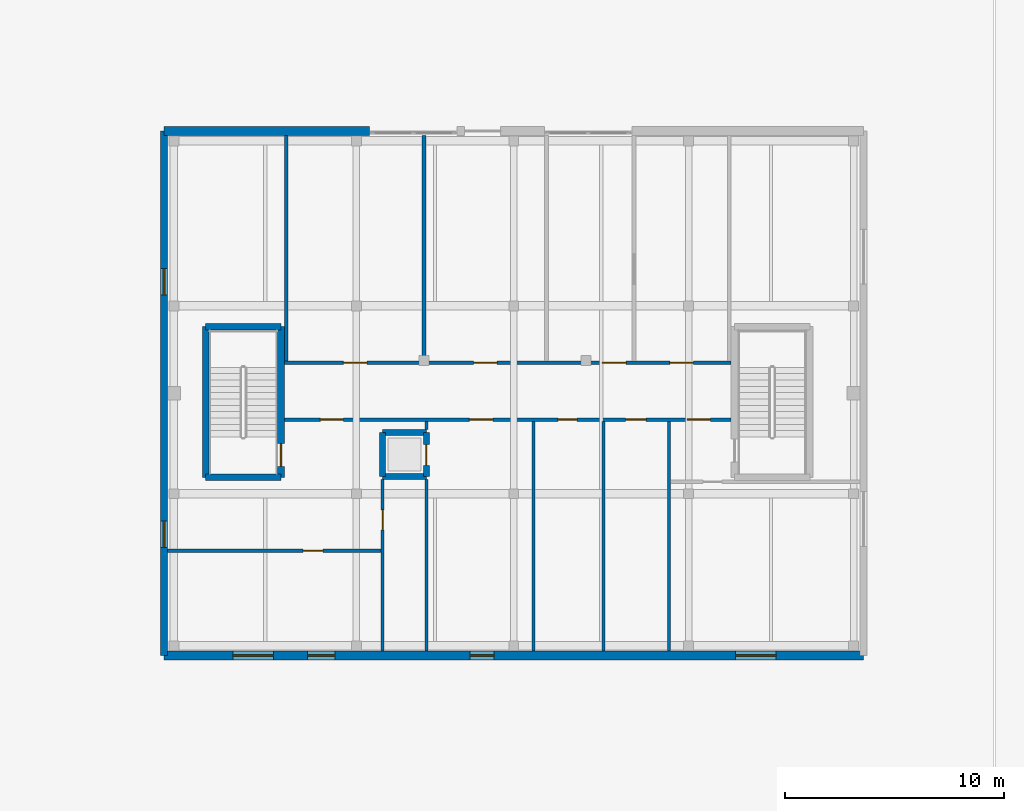
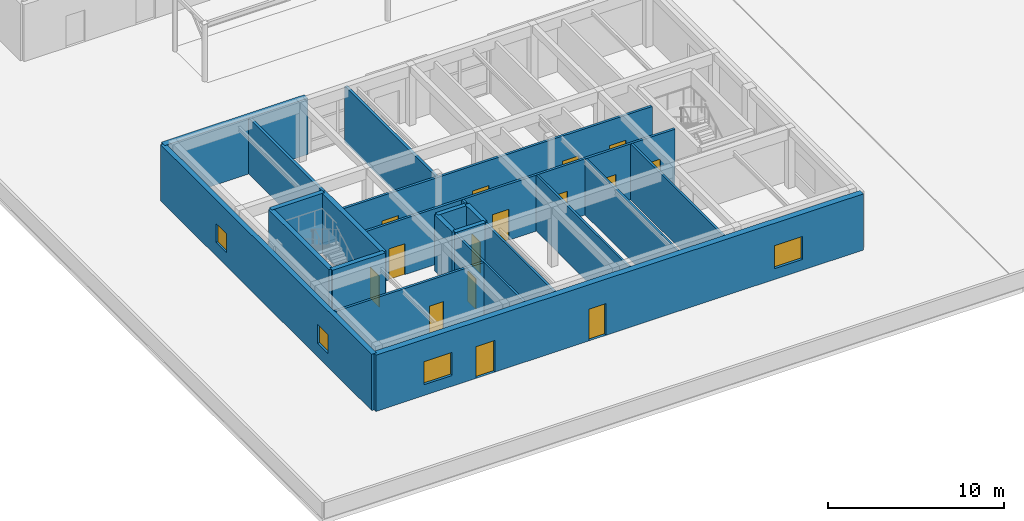
# One storey, part 71 of 114: 22 walls, 15 doors, 4 windows, 19 openings.
"""IFC4 building model written with IfcOpenShell, lengths in metres."""

from ifc_helpers import new_model, si_unit, direction, frame, frame_2d, origin, place, context, subcontext, project, spatial, rectangle, extrude, material, layer, layer_set, type_object, element, fill, save


model = new_model("IFC4")

# Units and contexts
model_context = context("Model", 3, precision=1e-05, world=origin(), true_north=direction((0.0, 1.0)))
body_context = subcontext(model_context, "Body", "Model", "MODEL_VIEW")
ifc_project = project(units=[si_unit("LENGTHUNIT", "METRE"), si_unit("AREAUNIT", "SQUARE_METRE"), si_unit("VOLUMEUNIT", "CUBIC_METRE"), si_unit("PLANEANGLEUNIT", "RADIAN"), si_unit("MASSUNIT", "GRAM", prefix="KILO")], contexts=[model_context])

# Site, building, storey
site_placement = place(None, origin())
site = spatial("IfcSite", under=ifc_project, at=site_placement, CompositionType="ELEMENT")
building_placement = place(site_placement, origin())
building = spatial("IfcBuilding", under=site, at=building_placement, Name="Keldmere Railside Commons", CompositionType="ELEMENT")
storey_placement = place(building_placement, origin())
storey = spatial("IfcBuildingStorey", under=building, at=storey_placement, Name="L00", CompositionType="ELEMENT", Elevation=0.0)

# Walls
ifc_material_1 = material(Name="Acoustic Gypsum Board Partition", Category="gypsum")
ifc_layer_1 = layer(ifc_material_1, 0.179931640625, Name="Acoustic Demising Partition 180")
ifc_layer_set_1 = layer_set([ifc_layer_1], Name="Acoustic Gypsum Board Partition")
wall_type_1 = type_object("IfcWallType", Name="Acoustic Demising Partition 180", PredefinedType="PARTITIONING", material=ifc_layer_set_1)
for number, where, z_axis, x_axis, name in (
    (1, (13.590087890625, 29.47998046875, 0.0), (0.0, 0.0, 1.0), (0.0, 1.0, 0.0), "IW-1 IW-L00-0106"),
    (2, (19.89990234375, 29.47998046875, 0.0), (0.0, 0.0, 1.0), (0.0, 1.0, 0.0), "IW-1 IW-L00-0107"),
):
    element("IfcWall", number, at=place(storey_placement, frame(where, z_axis=z_axis, x_axis=x_axis)), inside=storey, type_object=wall_type_1, Name=name, PredefinedType="PARTITIONING", context=body_context, shape_type="SweptSolid", body=[
        extrude(rectangle(XDim=10.320068359375, YDim=0.179931640625, at=frame_2d((5.16015625, 0.0))), origin(), (0.0, 0.0, 1.0), 3.889892578125),
    ])

# Wall, openings, windows, doors
ifc_material_2 = material(Name="Terracotta Brick Masonry", Category="masonry")
ifc_layer_2 = layer(ifc_material_2, 0.39990234375, Name="Civic Brick Cavity Wall 400")
ifc_layer_set_2 = layer_set([ifc_layer_2], Name="Terracotta Brick Masonry")
wall_type_2 = type_object("IfcWallType", Name="Civic Brick Cavity Wall 400", PredefinedType="SOLIDWALL", material=ifc_layer_set_2)
wall_1_placement = place(storey_placement, frame((40.0, 16.0, 0.0), z_axis=(0.0, 0.0, 1.0), x_axis=(-1.0, 0.0, 0.0)))
wall_1 = element("IfcWall", 3, at=wall_1_placement, inside=storey, type_object=wall_type_2, Name="EW-3 NURS-L00-0981", PredefinedType="SOLIDWALL", context=body_context, shape_type="SweptSolid", body=[
    extrude(rectangle(XDim=32.0, YDim=0.39990234375, at=frame_2d((16.0, 0.0))), origin(), (0.0, 0.0, 1.0), 3.89990234375),
])
opening_1_placement = place(wall_1_placement, frame((16.89990234375, 0.0, 0.0)))
opening_1 = element("IfcOpeningElement", 4, at=opening_1_placement, cuts=wall_1, Name="Opening ED-06", PredefinedType="OPENING", context=body_context, shape_type="SweptSolid", body=[
    extrude(rectangle(XDim=1.10009765625, YDim=2.199951171875, at=frame_2d((0.550048828125, 1.10009765625))), frame((0.0, 0.2099609375, 0.0), z_axis=(0.0, -1.0, 0.0), x_axis=(1.0, 0.0, 0.0)), (0.0, 0.0, 1.0), 0.419921875),
])
opening_2_placement = place(wall_1_placement, frame((24.179931640625, 0.0, 0.0)))
opening_2 = element("IfcOpeningElement", 5, at=opening_2_placement, cuts=wall_1, Name="Opening ED-02", PredefinedType="OPENING", context=body_context, shape_type="SweptSolid", body=[
    extrude(rectangle(XDim=1.25, YDim=2.199951171875, at=frame_2d((0.625, 1.10009765625))), frame((0.0, 0.2099609375, 0.0), z_axis=(0.0, -1.0, 0.0), x_axis=(1.0, 0.0, 0.0)), (0.0, 0.0, 1.0), 0.419921875),
])
opening_3_placement = place(wall_1_placement, frame((4.0, 0.0, 0.75)))
opening_3 = element("IfcOpeningElement", 6, at=opening_3_placement, cuts=wall_1, Name="Opening WN-26", PredefinedType="OPENING", context=body_context, shape_type="SweptSolid", body=[
    extrude(rectangle(XDim=1.85009765625, YDim=1.60009765625, at=frame_2d((0.925048828125, 0.800048828125))), frame((0.0, 0.2099609375, 0.0), z_axis=(0.0, -1.0, 0.0), x_axis=(1.0, 0.0, 0.0)), (0.0, 0.0, 1.0), 0.419921875),
])
opening_4_placement = place(wall_1_placement, frame((27.0, 0.0, 0.75)))
opening_4 = element("IfcOpeningElement", 7, at=opening_4_placement, cuts=wall_1, Name="Opening WN-26", PredefinedType="OPENING", context=body_context, shape_type="SweptSolid", body=[
    extrude(rectangle(XDim=1.85009765625, YDim=1.60009765625, at=frame_2d((0.925048828125, 0.800048828125))), frame((0.0, 0.2099609375, 0.0), z_axis=(0.0, -1.0, 0.0), x_axis=(1.0, 0.0, 0.0)), (0.0, 0.0, 1.0), 0.419921875),
])
ifc_material_3 = material(Name="Low-E Insulated Double Glazing", Category="glass")
window_type_1 = type_object("IfcWindowType", Name="Nursery Infant Room Low-Sill Window 1850x1600", PartitioningType="SINGLE_PANEL", PredefinedType="WINDOW", material=ifc_material_3)
window_1_placement = place(opening_3_placement, origin())
window_1 = element("IfcWindow", 8, at=window_1_placement, inside=storey, type_object=window_type_1, Name="WN-26 WIN-L00-0816", OverallHeight=1.60009765625, OverallWidth=1.85009765625, PartitioningType="SINGLE_PANEL", PredefinedType="WINDOW", context=body_context, shape_type="SweptSolid", body=[
    extrude(rectangle(XDim=1.85009765625, YDim=1.60009765625, at=frame_2d((0.925048828125, 0.800048828125))), frame((0.0, 0.030029296875, 0.0), z_axis=(0.0, -1.0, 0.0), x_axis=(1.0, 0.0, 0.0)), (0.0, 0.0, 1.0), 0.06005859375),
])
fill(opening_3, window_1)
window_2_placement = place(opening_4_placement, origin())
window_2 = element("IfcWindow", 9, at=window_2_placement, inside=storey, type_object=window_type_1, Name="WN-26 WIN-L00-0817", OverallHeight=1.60009765625, OverallWidth=1.85009765625, PartitioningType="SINGLE_PANEL", PredefinedType="WINDOW", context=body_context, shape_type="SweptSolid", body=[
    extrude(rectangle(XDim=1.85009765625, YDim=1.60009765625, at=frame_2d((0.925048828125, 0.800048828125))), frame((0.0, 0.030029296875, 0.0), z_axis=(0.0, -1.0, 0.0), x_axis=(1.0, 0.0, 0.0)), (0.0, 0.0, 1.0), 0.06005859375),
])
fill(opening_4, window_2)
ifc_material_4 = material(Name="Thermally Broken Aluminium", Category="aluminium")
door_type_1 = type_object("IfcDoorType", Name="Nursery Play-Patio Glazed Door 1100x2200", OperationType="NOTDEFINED", PredefinedType="DOOR", material=ifc_material_4)
door_1_placement = place(opening_1_placement, origin())
door_1 = element("IfcDoor", 10, at=door_1_placement, inside=storey, type_object=door_type_1, Name="ED-06 DR-L00-0298", OperationType="SINGLE_SWING_LEFT", OverallHeight=2.199951171875, OverallWidth=1.10009765625, PredefinedType="DOOR", context=body_context, shape_type="SweptSolid", body=[
    extrude(rectangle(XDim=1.10009765625, YDim=2.199951171875, at=frame_2d((0.550048828125, 1.10009765625))), frame((0.0, 0.02490234375, 0.0), z_axis=(0.0, -1.0, 0.0), x_axis=(1.0, 0.0, 0.0)), (0.0, 0.0, 1.0), 0.050048828125),
])
fill(opening_1, door_1)
ifc_material_5 = material(Name="Steel F-24 (S235)", Category="steel")
door_type_2 = type_object("IfcDoorType", Name="Stair Final Escape Exit Door 1250x2200", OperationType="NOTDEFINED", PredefinedType="DOOR", material=ifc_material_5)
door_2_placement = place(opening_2_placement, origin())
door_2 = element("IfcDoor", 11, at=door_2_placement, inside=storey, type_object=door_type_2, Name="ED-02 Nursery Final Exit", OperationType="SINGLE_SWING_RIGHT", OverallHeight=2.199951171875, OverallWidth=1.25, PredefinedType="DOOR", context=body_context, shape_type="SweptSolid", body=[
    extrude(rectangle(XDim=1.25, YDim=2.199951171875, at=frame_2d((0.625, 1.10009765625))), frame((0.0, 0.02490234375, 0.0), z_axis=(0.0, -1.0, 0.0), x_axis=(1.0, 0.0, 0.0)), (0.0, 0.0, 1.0), 0.050048828125),
])
fill(opening_2, door_2)

# Wall
wall_2_placement = place(storey_placement, frame((8.0, 40.0, 0.0), z_axis=(0.0, 0.0, 1.0), x_axis=(1.0, 0.0, 0.0)))
element("IfcWall", 12, at=wall_2_placement, inside=storey, type_object=wall_type_2, Name="EW-3 NURN-L00-0983", PredefinedType="SOLIDWALL", context=body_context, shape_type="SweptSolid", body=[
    extrude(rectangle(XDim=9.39990234375, YDim=0.39990234375, at=frame_2d((4.699951171875, 0.0))), origin(), (0.0, 0.0, 1.0), 3.89990234375),
])

# Wall, opening, door
ifc_material_6 = material(Name="Concrete H-35 (C35/45)", Category="concrete")
ifc_layer_3 = layer(ifc_material_6, 0.280029296875, Name="Core Shear Wall 280")
ifc_layer_set_3 = layer_set([ifc_layer_3], Name="Concrete H-35 (C35/45)")
wall_type_3 = type_object("IfcWallType", Name="Core Shear Wall 280", PredefinedType="SHEAR", material=ifc_layer_set_3)
wall_3_placement = place(storey_placement, frame((20.0, 24.199951171875, 0.0), z_axis=(0.0, 0.0, 1.0), x_axis=(0.0, 1.0, 0.0)))
wall_3 = element("IfcWall", 13, at=wall_3_placement, inside=storey, type_object=wall_type_3, Name="CSW-2 NLSH-L00-0997", PredefinedType="SHEAR", context=body_context, shape_type="SweptSolid", body=[
    extrude(rectangle(XDim=2.0, YDim=0.280029296875, at=frame_2d((1.0, 0.0))), origin(), (0.0, 0.0, 1.0), 3.89990234375),
])
opening_5_placement = place(wall_3_placement, frame((0.5, 0.0, 0.0)))
opening_5 = element("IfcOpeningElement", 14, at=opening_5_placement, cuts=wall_3, Name="Opening LD-3", PredefinedType="OPENING", context=body_context, shape_type="SweptSolid", body=[
    extrude(rectangle(XDim=0.949951171875, YDim=2.14990234375, at=frame_2d((0.47509765625, 1.074951171875))), frame((0.0, 0.14990234375, 0.0), z_axis=(0.0, -1.0, 0.0), x_axis=(1.0, 0.0, 0.0)), (0.0, 0.0, 1.0), 0.300048828125),
])
door_type_3 = type_object("IfcDoorType", Name="Civic Lift Sliding Landing Door 950x2150", OperationType="SLIDING_TO_LEFT", PredefinedType="DOOR", material=ifc_material_5)
door_3_placement = place(opening_5_placement, origin())
door_3 = element("IfcDoor", 15, at=door_3_placement, inside=storey, type_object=door_type_3, Name="LD-3 PL-N1 L00", OperationType="SLIDING_TO_LEFT", OverallHeight=2.14990234375, OverallWidth=0.949951171875, PredefinedType="DOOR", context=body_context, shape_type="SweptSolid", body=[
    extrude(rectangle(XDim=0.949951171875, YDim=2.14990234375, at=frame_2d((0.47509765625, 1.074951171875))), frame((0.0, 0.02490234375, 0.0), z_axis=(0.0, -1.0, 0.0), x_axis=(1.0, 0.0, 0.0)), (0.0, 0.0, 1.0), 0.050048828125),
])
fill(opening_5, door_3)

# Walls
for number, where, z_axis, x_axis, name in (
    (16, (18.0, 24.199951171875, 0.0), (0.0, 0.0, 1.0), (0.0, 1.0, 0.0), "CSW-2 NLSHB-L00-0998"),
    (17, (18.0, 24.199951171875, 0.0), (0.0, 0.0, 1.0), (1.0, 0.0, 0.0), "CSW-2 NLSHS-L00-0999"),
    (18, (18.0, 26.199951171875, 0.0), (0.0, 0.0, 1.0), (1.0, 0.0, 0.0), "CSW-2 NLSHN-L00-1000"),
):
    element("IfcWall", number, at=place(storey_placement, frame(where, z_axis=z_axis, x_axis=x_axis)), inside=storey, type_object=wall_type_3, Name=name, PredefinedType="SHEAR", context=body_context, shape_type="SweptSolid", body=[
        extrude(rectangle(XDim=2.0, YDim=0.280029296875, at=frame_2d((1.0, 0.0))), origin(), (0.0, 0.0, 1.0), 3.89990234375),
    ])

# Wall, openings, doors
ifc_layer_4 = layer(ifc_material_1, 0.159912109375, Name="Corridor Fire Partition 160")
ifc_layer_set_4 = layer_set([ifc_layer_4], Name="Acoustic Gypsum Board Partition")
wall_type_4 = type_object("IfcWallType", Name="Corridor Fire Partition 160", PredefinedType="PARTITIONING", material=ifc_layer_set_4)
wall_4_placement = place(storey_placement, frame((13.5, 26.800048828125, 0.0), z_axis=(0.0, 0.0, 1.0), x_axis=(1.0, 0.0, 0.0)))
wall_4 = element("IfcWall", 19, at=wall_4_placement, inside=storey, type_object=wall_type_4, Name="IW-2 IW-L00-0100", PredefinedType="PARTITIONING", context=body_context, shape_type="SweptSolid", body=[
    extrude(rectangle(XDim=20.449951171875, YDim=0.159912109375, at=frame_2d((10.22509765625, 0.0))), origin(), (0.0, 0.0, 1.0), 3.889892578125),
])
opening_6_placement = place(wall_4_placement, frame((1.64990234375, 0.0, 0.0)))
opening_6 = element("IfcOpeningElement", 20, at=opening_6_placement, cuts=wall_4, Name="Opening FD-1", PredefinedType="OPENING", context=body_context, shape_type="SweptSolid", body=[
    extrude(rectangle(XDim=1.050048828125, YDim=2.14990234375, at=frame_2d((0.52490234375, 1.074951171875))), frame((0.0, 0.08984375, 0.0), z_axis=(0.0, -1.0, 0.0), x_axis=(1.0, 0.0, 0.0)), (0.0, 0.0, 1.0), 0.179931640625),
])
opening_7_placement = place(wall_4_placement, frame((18.449951171875, 0.0, 0.0)))
opening_7 = element("IfcOpeningElement", 21, at=opening_7_placement, cuts=wall_4, Name="Opening FD-1", PredefinedType="OPENING", context=body_context, shape_type="SweptSolid", body=[
    extrude(rectangle(XDim=1.050048828125, YDim=2.14990234375, at=frame_2d((0.52490234375, 1.074951171875))), frame((0.0, 0.08984375, 0.0), z_axis=(0.0, -1.0, 0.0), x_axis=(1.0, 0.0, 0.0)), (0.0, 0.0, 1.0), 0.179931640625),
])
opening_8_placement = place(wall_4_placement, frame((8.469970703125, 0.0, 0.0)))
opening_8 = element("IfcOpeningElement", 22, at=opening_8_placement, cuts=wall_4, Name="Opening ID-09", PredefinedType="OPENING", context=body_context, shape_type="SweptSolid", body=[
    extrude(rectangle(XDim=1.080078125, YDim=2.14990234375, at=frame_2d((0.5400390625, 1.074951171875))), frame((0.0, 0.08984375, 0.0), z_axis=(0.0, -1.0, 0.0), x_axis=(1.0, 0.0, 0.0)), (0.0, 0.0, 1.0), 0.179931640625),
])
opening_9_placement = place(wall_4_placement, frame((12.52001953125, 0.0, 0.0)))
opening_9 = element("IfcOpeningElement", 23, at=opening_9_placement, cuts=wall_4, Name="Opening ID-10", PredefinedType="OPENING", context=body_context, shape_type="SweptSolid", body=[
    extrude(rectangle(XDim=0.8701171875, YDim=2.050048828125, at=frame_2d((0.43505859375, 1.02490234375))), frame((0.0, 0.08984375, 0.0), z_axis=(0.0, -1.0, 0.0), x_axis=(1.0, 0.0, 0.0)), (0.0, 0.0, 1.0), 0.179931640625),
])
opening_10_placement = place(wall_4_placement, frame((15.6201171875, 0.0, 0.0)))
opening_10 = element("IfcOpeningElement", 24, at=opening_10_placement, cuts=wall_4, Name="Opening ID-05", PredefinedType="OPENING", context=body_context, shape_type="SweptSolid", body=[
    extrude(rectangle(XDim=0.93994140625, YDim=2.10009765625, at=frame_2d((0.469970703125, 1.050048828125))), frame((0.0, 0.08984375, 0.0), z_axis=(0.0, -1.0, 0.0), x_axis=(1.0, 0.0, 0.0)), (0.0, 0.0, 1.0), 0.179931640625),
])
ifc_material_7 = material(Name="Engineered Oak Timber", Category="wood")
door_type_4 = type_object("IfcDoorType", Name="Accessible Bathroom Door 940x2100", OperationType="NOTDEFINED", PredefinedType="DOOR", material=ifc_material_7)
door_4_placement = place(opening_10_placement, origin())
door_4 = element("IfcDoor", 25, at=door_4_placement, inside=storey, type_object=door_type_4, Name="ID-05 IDR-L00-0046", OperationType="SINGLE_SWING_RIGHT", OverallHeight=2.10009765625, OverallWidth=0.93994140625, PredefinedType="DOOR", context=body_context, shape_type="SweptSolid", body=[
    extrude(rectangle(XDim=0.93994140625, YDim=2.10009765625, at=frame_2d((0.469970703125, 1.050048828125))), frame((0.0, 0.02490234375, 0.0), z_axis=(0.0, -1.0, 0.0), x_axis=(1.0, 0.0, 0.0)), (0.0, 0.0, 1.0), 0.050048828125),
])
fill(opening_10, door_4)
door_type_5 = type_object("IfcDoorType", Name="Nursery Child Toilet Door 870x2050", OperationType="NOTDEFINED", PredefinedType="DOOR", material=ifc_material_7)
door_5_placement = place(opening_9_placement, origin())
door_5 = element("IfcDoor", 26, at=door_5_placement, inside=storey, type_object=door_type_5, Name="ID-10 IDR-L00-0045", OperationType="SINGLE_SWING_LEFT", OverallHeight=2.050048828125, OverallWidth=0.8701171875, PredefinedType="DOOR", context=body_context, shape_type="SweptSolid", body=[
    extrude(rectangle(XDim=0.8701171875, YDim=2.050048828125, at=frame_2d((0.43505859375, 1.02490234375))), frame((0.0, 0.02490234375, 0.0), z_axis=(0.0, -1.0, 0.0), x_axis=(1.0, 0.0, 0.0)), (0.0, 0.0, 1.0), 0.050048828125),
])
fill(opening_9, door_5)
door_type_6 = type_object("IfcDoorType", Name="Nursery Playroom Glazed Vision Door 1080x2150", OperationType="NOTDEFINED", PredefinedType="DOOR", material=ifc_material_7)
door_6_placement = place(opening_8_placement, origin())
door_6 = element("IfcDoor", 27, at=door_6_placement, inside=storey, type_object=door_type_6, Name="ID-09 IDR-L00-0044", OperationType="SINGLE_SWING_RIGHT", OverallHeight=2.14990234375, OverallWidth=1.080078125, PredefinedType="DOOR", context=body_context, shape_type="SweptSolid", body=[
    extrude(rectangle(XDim=1.080078125, YDim=2.14990234375, at=frame_2d((0.5400390625, 1.074951171875))), frame((0.0, 0.02490234375, 0.0), z_axis=(0.0, -1.0, 0.0), x_axis=(1.0, 0.0, 0.0)), (0.0, 0.0, 1.0), 0.050048828125),
])
fill(opening_8, door_6)
door_type_7 = type_object("IfcDoorType", Name="Stair Core Fire Door 1050x2150", OperationType="NOTDEFINED", PredefinedType="DOOR", material=ifc_material_5)
door_7_placement = place(opening_6_placement, origin())
door_7 = element("IfcDoor", 28, at=door_7_placement, inside=storey, type_object=door_type_7, Name="FD-1 IDR-L00-0035", OperationType="SINGLE_SWING_LEFT", OverallHeight=2.14990234375, OverallWidth=1.050048828125, PredefinedType="DOOR", context=body_context, shape_type="SweptSolid", body=[
    extrude(rectangle(XDim=1.050048828125, YDim=2.14990234375, at=frame_2d((0.52490234375, 1.074951171875))), frame((0.0, 0.02490234375, 0.0), z_axis=(0.0, -1.0, 0.0), x_axis=(1.0, 0.0, 0.0)), (0.0, 0.0, 1.0), 0.050048828125),
])
fill(opening_6, door_7)
door_8_placement = place(opening_7_placement, origin())
door_8 = element("IfcDoor", 29, at=door_8_placement, inside=storey, type_object=door_type_7, Name="FD-1 IDR-L00-0036", OperationType="SINGLE_SWING_RIGHT", OverallHeight=2.14990234375, OverallWidth=1.050048828125, PredefinedType="DOOR", context=body_context, shape_type="SweptSolid", body=[
    extrude(rectangle(XDim=1.050048828125, YDim=2.14990234375, at=frame_2d((0.52490234375, 1.074951171875))), frame((0.0, 0.02490234375, 0.0), z_axis=(0.0, -1.0, 0.0), x_axis=(1.0, 0.0, 0.0)), (0.0, 0.0, 1.0), 0.050048828125),
])
fill(opening_7, door_8)

wall_5_placement = place(storey_placement, frame((13.5, 29.39990234375, 0.0), z_axis=(0.0, 0.0, 1.0), x_axis=(1.0, 0.0, 0.0)))
wall_5 = element("IfcWall", 30, at=wall_5_placement, inside=storey, type_object=wall_type_4, Name="IW-2 IW-L00-0101", PredefinedType="PARTITIONING", context=body_context, shape_type="SweptSolid", body=[
    extrude(rectangle(XDim=20.449951171875, YDim=0.159912109375, at=frame_2d((10.22509765625, 0.0))), origin(), (0.0, 0.0, 1.0), 3.889892578125),
])
opening_11_placement = place(wall_5_placement, frame((2.705078125, 0.0, 0.0)))
opening_11 = element("IfcOpeningElement", 31, at=opening_11_placement, cuts=wall_5, Name="Opening ID-09", PredefinedType="OPENING", context=body_context, shape_type="SweptSolid", body=[
    extrude(rectangle(XDim=1.080078125, YDim=2.14990234375, at=frame_2d((0.5400390625, 1.074951171875))), frame((0.0, 0.08984375, 0.0), z_axis=(0.0, -1.0, 0.0), x_axis=(1.0, 0.0, 0.0)), (0.0, 0.0, 1.0), 0.179931640625),
])
opening_12_placement = place(wall_5_placement, frame((8.659912109375, 0.0, 0.0)))
opening_12 = element("IfcOpeningElement", 32, at=opening_12_placement, cuts=wall_5, Name="Opening ID-09", PredefinedType="OPENING", context=body_context, shape_type="SweptSolid", body=[
    extrude(rectangle(XDim=1.080078125, YDim=2.14990234375, at=frame_2d((0.5400390625, 1.074951171875))), frame((0.0, 0.08984375, 0.0), z_axis=(0.0, -1.0, 0.0), x_axis=(1.0, 0.0, 0.0)), (0.0, 0.0, 1.0), 0.179931640625),
])
opening_13_placement = place(wall_5_placement, frame((14.56005859375, 0.0, 0.0)))
opening_13 = element("IfcOpeningElement", 33, at=opening_13_placement, cuts=wall_5, Name="Opening ID-09", PredefinedType="OPENING", context=body_context, shape_type="SweptSolid", body=[
    extrude(rectangle(XDim=1.080078125, YDim=2.14990234375, at=frame_2d((0.5400390625, 1.074951171875))), frame((0.0, 0.08984375, 0.0), z_axis=(0.0, -1.0, 0.0), x_axis=(1.0, 0.0, 0.0)), (0.0, 0.0, 1.0), 0.179931640625),
])
opening_14_placement = place(wall_5_placement, frame((17.639892578125, 0.0, 0.0)))
opening_14 = element("IfcOpeningElement", 34, at=opening_14_placement, cuts=wall_5, Name="Opening ID-09", PredefinedType="OPENING", context=body_context, shape_type="SweptSolid", body=[
    extrude(rectangle(XDim=1.080078125, YDim=2.14990234375, at=frame_2d((0.5400390625, 1.074951171875))), frame((0.0, 0.08984375, 0.0), z_axis=(0.0, -1.0, 0.0), x_axis=(1.0, 0.0, 0.0)), (0.0, 0.0, 1.0), 0.179931640625),
])
door_9_placement = place(opening_11_placement, origin())
door_9 = element("IfcDoor", 35, at=door_9_placement, inside=storey, type_object=door_type_6, Name="ID-09 IDR-L00-0037", OperationType="SINGLE_SWING_LEFT", OverallHeight=2.14990234375, OverallWidth=1.080078125, PredefinedType="DOOR", context=body_context, shape_type="SweptSolid", body=[
    extrude(rectangle(XDim=1.080078125, YDim=2.14990234375, at=frame_2d((0.5400390625, 1.074951171875))), frame((0.0, 0.02490234375, 0.0), z_axis=(0.0, -1.0, 0.0), x_axis=(1.0, 0.0, 0.0)), (0.0, 0.0, 1.0), 0.050048828125),
])
fill(opening_11, door_9)
door_10_placement = place(opening_12_placement, origin())
door_10 = element("IfcDoor", 36, at=door_10_placement, inside=storey, type_object=door_type_6, Name="ID-09 IDR-L00-0038", OperationType="SINGLE_SWING_RIGHT", OverallHeight=2.14990234375, OverallWidth=1.080078125, PredefinedType="DOOR", context=body_context, shape_type="SweptSolid", body=[
    extrude(rectangle(XDim=1.080078125, YDim=2.14990234375, at=frame_2d((0.5400390625, 1.074951171875))), frame((0.0, 0.02490234375, 0.0), z_axis=(0.0, -1.0, 0.0), x_axis=(1.0, 0.0, 0.0)), (0.0, 0.0, 1.0), 0.050048828125),
])
fill(opening_12, door_10)
door_11_placement = place(opening_13_placement, origin())
door_11 = element("IfcDoor", 37, at=door_11_placement, inside=storey, type_object=door_type_6, Name="ID-09 IDR-L00-0039", OperationType="SINGLE_SWING_LEFT", OverallHeight=2.14990234375, OverallWidth=1.080078125, PredefinedType="DOOR", context=body_context, shape_type="SweptSolid", body=[
    extrude(rectangle(XDim=1.080078125, YDim=2.14990234375, at=frame_2d((0.5400390625, 1.074951171875))), frame((0.0, 0.02490234375, 0.0), z_axis=(0.0, -1.0, 0.0), x_axis=(1.0, 0.0, 0.0)), (0.0, 0.0, 1.0), 0.050048828125),
])
fill(opening_13, door_11)
door_12_placement = place(opening_14_placement, origin())
door_12 = element("IfcDoor", 38, at=door_12_placement, inside=storey, type_object=door_type_6, Name="ID-09 IDR-L00-0040", OperationType="SINGLE_SWING_RIGHT", OverallHeight=2.14990234375, OverallWidth=1.080078125, PredefinedType="DOOR", context=body_context, shape_type="SweptSolid", body=[
    extrude(rectangle(XDim=1.080078125, YDim=2.14990234375, at=frame_2d((0.5400390625, 1.074951171875))), frame((0.0, 0.02490234375, 0.0), z_axis=(0.0, -1.0, 0.0), x_axis=(1.0, 0.0, 0.0)), (0.0, 0.0, 1.0), 0.050048828125),
])
fill(opening_14, door_12)

# Wall, opening, door
wall_6_placement = place(storey_placement, frame((8.159912109375, 20.800048828125, 0.0), z_axis=(0.0, 0.0, 1.0), x_axis=(1.0, 0.0, 0.0)))
wall_6 = element("IfcWall", 39, at=wall_6_placement, inside=storey, type_object=wall_type_4, Name="IW-2 IW-L00-0111", PredefinedType="PARTITIONING", context=body_context, shape_type="SweptSolid", body=[
    extrude(rectangle(XDim=9.77001953125, YDim=0.159912109375, at=frame_2d((4.885009765625, 0.0))), origin(), (0.0, 0.0, 1.0), 3.889892578125),
])
opening_15_placement = place(wall_6_placement, frame((6.199951171875, 0.0, 0.0)))
opening_15 = element("IfcOpeningElement", 40, at=opening_15_placement, cuts=wall_6, Name="Opening ID-11", PredefinedType="OPENING", context=body_context, shape_type="SweptSolid", body=[
    extrude(rectangle(XDim=0.909912109375, YDim=2.10009765625, at=frame_2d((0.455078125, 1.050048828125))), frame((0.0, 0.08984375, 0.0), z_axis=(0.0, -1.0, 0.0), x_axis=(1.0, 0.0, 0.0)), (0.0, 0.0, 1.0), 0.179931640625),
])
door_type_8 = type_object("IfcDoorType", Name="Nursery Office & Nursing Door 910x2100", OperationType="NOTDEFINED", PredefinedType="DOOR", material=ifc_material_7)
door_13_placement = place(opening_15_placement, origin())
door_13 = element("IfcDoor", 41, at=door_13_placement, inside=storey, type_object=door_type_8, Name="ID-11 IDR-L00-0041", OperationType="SINGLE_SWING_LEFT", OverallHeight=2.10009765625, OverallWidth=0.909912109375, PredefinedType="DOOR", context=body_context, shape_type="SweptSolid", body=[
    extrude(rectangle(XDim=0.909912109375, YDim=2.10009765625, at=frame_2d((0.455078125, 1.050048828125))), frame((0.0, 0.02490234375, 0.0), z_axis=(0.0, -1.0, 0.0), x_axis=(1.0, 0.0, 0.0)), (0.0, 0.0, 1.0), 0.050048828125),
])
fill(opening_15, door_13)

# Wall, openings, windows
ifc_layer_5 = layer(ifc_material_6, 0.320068359375, Name="Exterior Shear Wall 320")
ifc_layer_set_5 = layer_set([ifc_layer_5], Name="Concrete H-35 (C35/45)")
wall_type_5 = type_object("IfcWallType", Name="Exterior Shear Wall 320", PredefinedType="SHEAR", material=ifc_layer_set_5)
wall_7_placement = place(storey_placement, frame((8.0, 16.0, 0.0), z_axis=(0.0, 0.0, 1.0), x_axis=(0.0, 1.0, 0.0)))
wall_7 = element("IfcWall", 42, at=wall_7_placement, inside=storey, type_object=wall_type_5, Name="ESW-2 NURW-L00-0982", PredefinedType="SHEAR", context=body_context, shape_type="SweptSolid", body=[
    extrude(rectangle(XDim=24.0, YDim=0.320068359375, at=frame_2d((12.0, 0.0))), origin(), (0.0, 0.0, 1.0), 3.89990234375),
])
opening_16_placement = place(wall_7_placement, frame((4.949951171875, 0.0, 0.949951171875)))
opening_16 = element("IfcOpeningElement", 43, at=opening_16_placement, cuts=wall_7, Name="Opening WN-28", PredefinedType="OPENING", context=body_context, shape_type="SweptSolid", body=[
    extrude(rectangle(XDim=1.199951171875, YDim=1.300048828125, at=frame_2d((0.60009765625, 0.64990234375))), frame((0.0, 0.169921875, 0.0), z_axis=(0.0, -1.0, 0.0), x_axis=(1.0, 0.0, 0.0)), (0.0, 0.0, 1.0), 0.340087890625),
])
opening_17_placement = place(wall_7_placement, frame((16.5, 0.0, 0.949951171875)))
opening_17 = element("IfcOpeningElement", 44, at=opening_17_placement, cuts=wall_7, Name="Opening WN-28", PredefinedType="OPENING", context=body_context, shape_type="SweptSolid", body=[
    extrude(rectangle(XDim=1.199951171875, YDim=1.300048828125, at=frame_2d((0.60009765625, 0.64990234375))), frame((0.0, 0.169921875, 0.0), z_axis=(0.0, -1.0, 0.0), x_axis=(1.0, 0.0, 0.0)), (0.0, 0.0, 1.0), 0.340087890625),
])
window_type_2 = type_object("IfcWindowType", Name="Nursery Office & Lactation Window 1200x1300", PartitioningType="SINGLE_PANEL", PredefinedType="WINDOW", material=ifc_material_3)
window_3_placement = place(opening_16_placement, origin())
window_3 = element("IfcWindow", 45, at=window_3_placement, inside=storey, type_object=window_type_2, Name="WN-28 WIN-L00-0818", OverallHeight=1.300048828125, OverallWidth=1.199951171875, PartitioningType="SINGLE_PANEL", PredefinedType="WINDOW", context=body_context, shape_type="SweptSolid", body=[
    extrude(rectangle(XDim=1.199951171875, YDim=1.300048828125, at=frame_2d((0.60009765625, 0.64990234375))), frame((0.0, 0.030029296875, 0.0), z_axis=(0.0, -1.0, 0.0), x_axis=(1.0, 0.0, 0.0)), (0.0, 0.0, 1.0), 0.06005859375),
])
fill(opening_16, window_3)
window_4_placement = place(opening_17_placement, origin())
window_4 = element("IfcWindow", 46, at=window_4_placement, inside=storey, type_object=window_type_2, Name="WN-28 WIN-L00-0820", OverallHeight=1.300048828125, OverallWidth=1.199951171875, PartitioningType="SINGLE_PANEL", PredefinedType="WINDOW", context=body_context, shape_type="SweptSolid", body=[
    extrude(rectangle(XDim=1.199951171875, YDim=1.300048828125, at=frame_2d((0.60009765625, 0.64990234375))), frame((0.0, 0.030029296875, 0.0), z_axis=(0.0, -1.0, 0.0), x_axis=(1.0, 0.0, 0.0)), (0.0, 0.0, 1.0), 0.06005859375),
])
fill(opening_17, window_4)

# Wall
ifc_layer_6 = layer(ifc_material_6, 0.300048828125, Name="Interior Shear Wall 300")
ifc_layer_set_6 = layer_set([ifc_layer_6], Name="Concrete H-35 (C35/45)")
wall_type_6 = type_object("IfcWallType", Name="Interior Shear Wall 300", PredefinedType="SHEAR", material=ifc_layer_set_6)
wall_8_placement = place(storey_placement, frame((9.89990234375, 24.14990234375, 0.0), z_axis=(0.0, 0.0, 1.0), x_axis=(1.0, 0.0, 0.0)))
element("IfcWall", 47, at=wall_8_placement, inside=storey, type_object=wall_type_6, Name="ISW-2 WAL-ST-N1-L00-S", PredefinedType="SHEAR", context=body_context, shape_type="SweptSolid", body=[
    extrude(rectangle(XDim=3.4501953125, YDim=0.300048828125, at=frame_2d((1.72509765625, 0.0))), origin(), (0.0, 0.0, 1.0), 4.159912109375),
])

# Wall, opening, door
wall_9_placement = place(storey_placement, frame((13.35009765625, 31.050048828125, 0.0), z_axis=(0.0, 0.0, 1.0), x_axis=(0.0, -1.0, 0.0)))
wall_9 = element("IfcWall", 48, at=wall_9_placement, inside=storey, type_object=wall_type_6, Name="ISW-2 WAL-ST-N1-L00-E", PredefinedType="SHEAR", context=body_context, shape_type="SweptSolid", body=[
    extrude(rectangle(XDim=6.900146484375, YDim=0.300048828125, at=frame_2d((3.4501953125, 0.0))), origin(), (0.0, 0.0, 1.0), 4.159912109375),
])
opening_18_placement = place(wall_9_placement, frame((5.35009765625, 0.0, 0.0)))
opening_18 = element("IfcOpeningElement", 49, at=opening_18_placement, cuts=wall_9, Name="Opening FD-1", PredefinedType="OPENING", context=body_context, shape_type="SweptSolid", body=[
    extrude(rectangle(XDim=1.050048828125, YDim=2.14990234375, at=frame_2d((0.52490234375, 1.074951171875))), frame((0.0, 0.159912109375, 0.0), z_axis=(0.0, -1.0, 0.0), x_axis=(1.0, 0.0, 0.0)), (0.0, 0.0, 1.0), 0.320068359375),
])
door_14_placement = place(opening_18_placement, origin())
door_14 = element("IfcDoor", 50, at=door_14_placement, inside=storey, type_object=door_type_7, Name="FD-1 ST-N1 L00", OperationType="SINGLE_SWING_LEFT", OverallHeight=2.14990234375, OverallWidth=1.050048828125, PredefinedType="DOOR", context=body_context, shape_type="SweptSolid", body=[
    extrude(rectangle(XDim=1.050048828125, YDim=2.14990234375, at=frame_2d((0.52490234375, 1.074951171875))), frame((0.0, 0.02490234375, 0.0), z_axis=(0.0, -1.0, 0.0), x_axis=(1.0, 0.0, 0.0)), (0.0, 0.0, 1.0), 0.050048828125),
])
fill(opening_18, door_14)

# Walls
wall_10_placement = place(storey_placement, frame((9.89990234375, 31.050048828125, 0.0), z_axis=(0.0, 0.0, 1.0), x_axis=(1.0, 0.0, 0.0)))
element("IfcWall", 51, at=wall_10_placement, inside=storey, type_object=wall_type_6, Name="ISW-2 WAL-ST-N1-L00-N", PredefinedType="SHEAR", context=body_context, shape_type="SweptSolid", body=[
    extrude(rectangle(XDim=3.4501953125, YDim=0.300048828125, at=frame_2d((1.72509765625, 0.0))), origin(), (0.0, 0.0, 1.0), 4.159912109375),
])
wall_11_placement = place(storey_placement, frame((9.89990234375, 24.14990234375, 0.0), z_axis=(0.0, 0.0, 1.0), x_axis=(0.0, 1.0, 0.0)))
element("IfcWall", 52, at=wall_11_placement, inside=storey, type_object=wall_type_6, Name="ISW-2 WAL-ST-N1-L00-W", PredefinedType="SHEAR", context=body_context, shape_type="SweptSolid", body=[
    extrude(rectangle(XDim=6.900146484375, YDim=0.300048828125, at=frame_2d((3.4501953125, 0.0))), origin(), (0.0, 0.0, 1.0), 4.159912109375),
])

# Wall, opening, door
ifc_layer_7 = layer(ifc_material_1, 0.139892578125, Name="Wet-Room Sanitary Partition 140")
ifc_layer_set_7 = layer_set([ifc_layer_7], Name="Acoustic Gypsum Board Partition")
wall_type_7 = type_object("IfcWallType", Name="Wet-Room Sanitary Partition 140", PredefinedType="PARTITIONING", material=ifc_layer_set_7)
wall_12_placement = place(storey_placement, frame((18.0, 16.199951171875, 0.0), z_axis=(0.0, 0.0, 1.0), x_axis=(0.0, 1.0, 0.0)))
wall_12 = element("IfcWall", 53, at=wall_12_placement, inside=storey, type_object=wall_type_7, Name="IW-5 IW-L00-0102", PredefinedType="PARTITIONING", context=body_context, shape_type="SweptSolid", body=[
    extrude(rectangle(XDim=7.860107421875, YDim=0.139892578125, at=frame_2d((3.93017578125, 0.0))), origin(), (0.0, 0.0, 1.0), 3.889892578125),
])
opening_19_placement = place(wall_12_placement, frame((5.550048828125, 0.0, 0.0)))
opening_19 = element("IfcOpeningElement", 54, at=opening_19_placement, cuts=wall_12, Name="Opening ID-11", PredefinedType="OPENING", context=body_context, shape_type="SweptSolid", body=[
    extrude(rectangle(XDim=0.909912109375, YDim=2.10009765625, at=frame_2d((0.455078125, 1.050048828125))), frame((0.0, 0.079833984375, 0.0), z_axis=(0.0, -1.0, 0.0), x_axis=(1.0, 0.0, 0.0)), (0.0, 0.0, 1.0), 0.159912109375),
])
door_15_placement = place(opening_19_placement, origin())
door_15 = element("IfcDoor", 55, at=door_15_placement, inside=storey, type_object=door_type_8, Name="ID-11 IDR-L00-0042", OperationType="SINGLE_SWING_RIGHT", OverallHeight=2.10009765625, OverallWidth=0.909912109375, PredefinedType="DOOR", context=body_context, shape_type="SweptSolid", body=[
    extrude(rectangle(XDim=0.909912109375, YDim=2.10009765625, at=frame_2d((0.455078125, 1.050048828125))), frame((0.0, 0.02490234375, 0.0), z_axis=(0.0, -1.0, 0.0), x_axis=(1.0, 0.0, 0.0)), (0.0, 0.0, 1.0), 0.050048828125),
])
fill(opening_19, door_15)

# Walls
wall_13_placement = place(storey_placement, frame((20.0, 16.199951171875, 0.0), z_axis=(0.0, 0.0, 1.0), x_axis=(0.0, 1.0, 0.0)))
element("IfcWall", 56, at=wall_13_placement, inside=storey, type_object=wall_type_7, Name="IW-5 IW-L00-0103", PredefinedType="PARTITIONING", context=body_context, shape_type="SweptSolid", body=[
    extrude(rectangle(XDim=7.860107421875, YDim=0.139892578125, at=frame_2d((3.93017578125, 0.0))), origin(), (0.0, 0.0, 1.0), 3.889892578125),
])
wall_14_placement = place(storey_placement, frame((20.0, 26.340087890625, 0.0), z_axis=(0.0, 0.0, 1.0), x_axis=(0.0, 1.0, 0.0)))
element("IfcWall", 57, at=wall_14_placement, inside=storey, type_object=wall_type_7, Name="IW-5 IW-L00-0104", PredefinedType="PARTITIONING", context=body_context, shape_type="SweptSolid", body=[
    extrude(rectangle(XDim=0.3798828125, YDim=0.139892578125, at=frame_2d((0.18994140625, 0.0))), origin(), (0.0, 0.0, 1.0), 3.889892578125),
])
for number, where, z_axis, x_axis, name in (
    (58, (31.10009765625, 16.199951171875, 0.0), (0.0, 0.0, 1.0), (0.0, 1.0, 0.0), "IW-5 IW-L00-0105"),
    (59, (24.89990234375, 16.199951171875, 0.0), (0.0, 0.0, 1.0), (0.0, 1.0, 0.0), "IW-5 IW-L00-0113"),
    (60, (28.10009765625, 16.199951171875, 0.0), (0.0, 0.0, 1.0), (0.0, 1.0, 0.0), "IW-5 IW-L00-0114"),
):
    element("IfcWall", number, at=place(storey_placement, frame(where, z_axis=z_axis, x_axis=x_axis)), inside=storey, type_object=wall_type_7, Name=name, PredefinedType="PARTITIONING", context=body_context, shape_type="SweptSolid", body=[
        extrude(rectangle(XDim=10.52001953125, YDim=0.139892578125, at=frame_2d((5.260009765625, 0.0))), origin(), (0.0, 0.0, 1.0), 3.889892578125),
    ])

save(model, "model.ifc")
